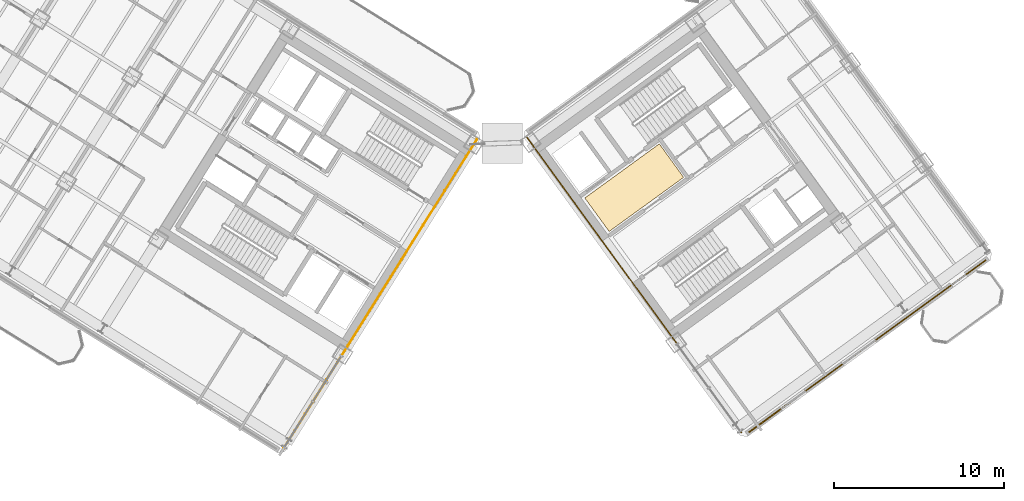
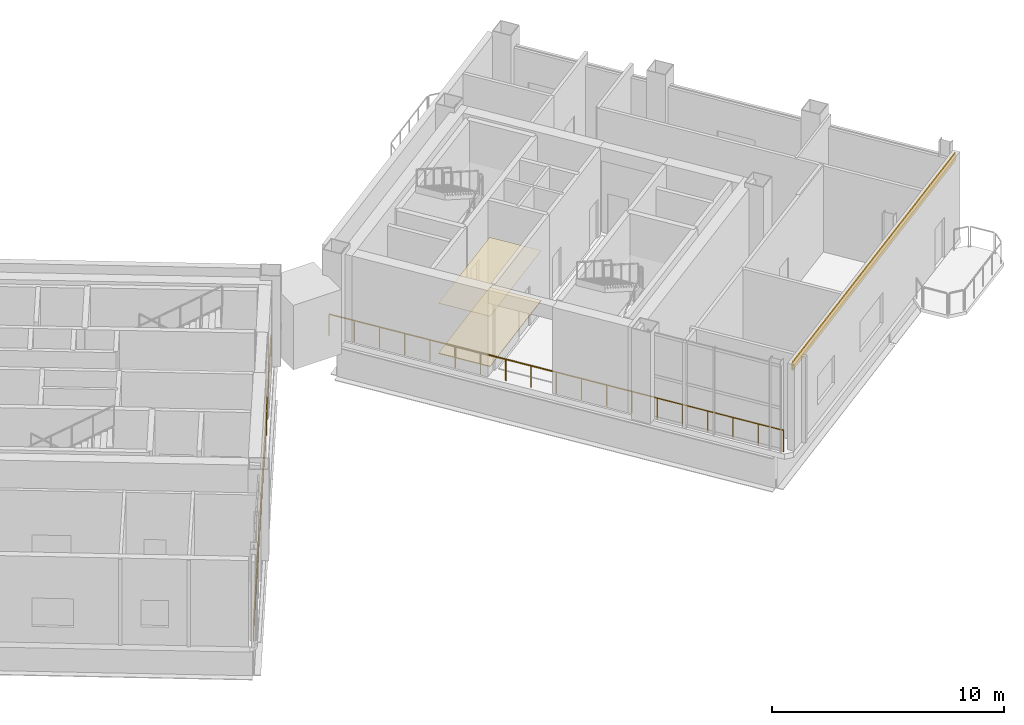
# One storey, part 20 of 22: 3 coverings, 2 railings.
"""IFC4 building model written with IfcOpenShell, lengths in metres."""

from ifc_helpers import new_model, si_unit, direction, frame, origin, origin_2d, place, context, subcontext, project, spatial, polyline, rectangle, outline, extrude, source, transform, mapped, material, layer, layer_set, type_object, element, save


model = new_model("IFC4")

# Units and contexts
model_context = context("Model", 3, precision=1e-05, world=origin(), true_north=direction((0.0, 1.0)))
body_context = subcontext(model_context, "Body", "Model", "MODEL_VIEW")
ifc_project = project(units=[si_unit("LENGTHUNIT", "METRE"), si_unit("AREAUNIT", "SQUARE_METRE"), si_unit("VOLUMEUNIT", "CUBIC_METRE"), si_unit("PLANEANGLEUNIT", "RADIAN"), si_unit("MASSUNIT", "GRAM", prefix="KILO")], contexts=[model_context])

# Site, building, storey
site_placement = place(None, origin())
site = spatial("IfcSite", under=ifc_project, at=site_placement, CompositionType="ELEMENT")
building_placement = place(site_placement, origin())
building = spatial("IfcBuilding", under=site, at=building_placement, Name="Tlacorven Tower", CompositionType="ELEMENT")
storey_placement = place(building_placement, frame((0.0, 0.0, 127.800048828125)))
storey = spatial("IfcBuildingStorey", under=building, at=storey_placement, Name="L32", CompositionType="ELEMENT", Elevation=127.800048828125)

# Coverings
ifc_material_1 = material(Name="Acoustic mineral-fibre ceiling")
ifc_layer_1 = layer(ifc_material_1, 0.02490234375)
ifc_layer_set_1 = layer_set([ifc_layer_1], Name="Acoustic mineral-fibre ceiling")
covering_type_1 = type_object("IfcCoveringType", Name="CV-CLG-ACST", PredefinedType="CEILING", material=ifc_layer_set_1)
covering_1_placement = place(storey_placement, frame((0.0, 0.0, 2.64990234375)))
element("IfcCovering", 1, at=covering_1_placement, inside=storey, type_object=covering_type_1, Name="L32 Acoustic Suspended Ceiling 3", PredefinedType="CEILING", context=body_context, shape_type="SweptSolid", body=[
    extrude(outline(polyline([(48.760498046875, 19.326171875), (47.326171875, 21.300048828125), (51.71923828125, 24.49169921875), (53.1533203125, 22.517822265625), (48.760498046875, 19.326171875)])), origin(), (0.0, 0.0, 1.0), 0.025146484375),
])
ifc_material_2 = material(Name="Terrazzo and ceramic flooring")
ifc_layer_2 = layer(ifc_material_2, 0.0400390625)
ifc_layer_set_2 = layer_set([ifc_layer_2], Name="Terrazzo and ceramic flooring")
covering_type_2 = type_object("IfcCoveringType", Name="CV-FLR-TERZ", PredefinedType="FLOORING", material=ifc_layer_set_2)
covering_2_placement = place(storey_placement, origin())
element("IfcCovering", 2, at=covering_2_placement, inside=storey, type_object=covering_type_2, Name="L32 Terrazzo Floor Finish 3", PredefinedType="FLOORING", context=body_context, shape_type="SweptSolid", body=[
    extrude(outline(polyline([(48.760498046875, 19.326171875), (47.326171875, 21.300048828125), (51.71923828125, 24.49169921875), (53.1533203125, 22.517822265625), (48.760498046875, 19.326171875)])), origin(), (0.0, 0.0, 1.0), 0.0400390625),
])
ifc_material_3 = material(Name="Precast concrete C45/55", Category="concrete")
ifc_layer_3 = layer(ifc_material_3, 0.06005859375)
ifc_layer_set_3 = layer_set([ifc_layer_3], Name="Precast concrete C45/55")
covering_type_3 = type_object("IfcCoveringType", Name="CV-CLD-TERC", PredefinedType="CLADDING", material=ifc_layer_set_3)
shared_shape_1 = source(origin(), body_context, "Body", "SweptSolid", [
    extrude(rectangle(XDim=17.287353515625, YDim=0.06005859375, at=origin_2d()), origin(), (0.0, 0.0, 1.0), 0.419921875),
])
covering_3_placement = place(storey_placement, frame((63.9833984375, 12.562255859375, 4.1298828125), z_axis=(0.0, 0.0, 1.0), x_axis=(-0.809017097486, -0.587785110372, 0.0)))
element("IfcCovering", 3, at=covering_3_placement, inside=storey, type_object=covering_type_3, Name="L32 Masonry-Frame Spandrel Cladding 6", PredefinedType="CLADDING", context=body_context, shape_type="MappedRepresentation", body=[
    mapped(shared_shape_1, transform((0.0, 0.0, 0.0), scale=1.0)),
])

# Railings
ifc_material_4 = material(Name="Aluminium and painted steel balustrade", Category="steel")
railing_type = type_object("IfcRailingType", Name="RL-GRD-1150", PredefinedType="GUARDRAIL", material=ifc_material_4)
shared_shape_2 = source(origin(), body_context, "Body", "SweptSolid", [
    extrude(rectangle(XDim=0.048095703125, YDim=0.048095703125, at=origin_2d()), frame((0.0, 0.0, 1.1259765625), z_axis=(-0.529922340282, -0.84804617402, 0.0), x_axis=(0.84804617402, -0.529922340282, 0.0)), (0.0, 0.0, 1.0), 21.487548828125),
    extrude(rectangle(XDim=0.0419921875, YDim=0.0419921875, at=origin_2d()), origin(), (0.0, 0.0, 1.0), 1.101806640625),
    extrude(rectangle(XDim=0.0419921875, YDim=0.0419921875, at=origin_2d()), frame((-0.632568359375, -1.012451171875, 0.0)), (0.0, 0.0, 1.0), 1.101806640625),
    extrude(rectangle(XDim=0.0419921875, YDim=0.0419921875, at=origin_2d()), frame((-1.26513671875, -2.024658203125, 0.0)), (0.0, 0.0, 1.0), 1.101806640625),
    extrude(rectangle(XDim=0.0419921875, YDim=0.0419921875, at=origin_2d()), frame((-1.897705078125, -3.037109375, 0.0)), (0.0, 0.0, 1.0), 1.101806640625),
    extrude(rectangle(XDim=0.0419921875, YDim=0.0419921875, at=origin_2d()), frame((-2.5302734375, -4.04931640625, 0.0)), (0.0, 0.0, 1.0), 1.101806640625),
    extrude(rectangle(XDim=0.0419921875, YDim=0.0419921875, at=origin_2d()), frame((-3.1630859375, -5.061767578125, 0.0)), (0.0, 0.0, 1.0), 1.101806640625),
    extrude(rectangle(XDim=0.0419921875, YDim=0.0419921875, at=origin_2d()), frame((-3.795654296875, -6.07421875, 0.0)), (0.0, 0.0, 1.0), 1.101806640625),
    extrude(rectangle(XDim=0.0419921875, YDim=0.0419921875, at=origin_2d()), frame((-4.42822265625, -7.08642578125, 0.0)), (0.0, 0.0, 1.0), 1.101806640625),
    extrude(rectangle(XDim=0.0419921875, YDim=0.0419921875, at=origin_2d()), frame((-5.060791015625, -8.098876953125, 0.0)), (0.0, 0.0, 1.0), 1.101806640625),
    extrude(rectangle(XDim=0.0419921875, YDim=0.0419921875, at=origin_2d()), frame((-5.693359375, -9.111328125, 0.0)), (0.0, 0.0, 1.0), 1.101806640625),
    extrude(rectangle(XDim=0.0419921875, YDim=0.0419921875, at=origin_2d()), frame((-6.325927734375, -10.12353515625, 0.0)), (0.0, 0.0, 1.0), 1.101806640625),
    extrude(rectangle(XDim=0.0419921875, YDim=0.0419921875, at=origin_2d()), frame((-6.95849609375, -11.135986328125, 0.0)), (0.0, 0.0, 1.0), 1.101806640625),
    extrude(rectangle(XDim=0.0419921875, YDim=0.0419921875, at=origin_2d()), frame((-7.591064453125, -12.148193359375, 0.0)), (0.0, 0.0, 1.0), 1.101806640625),
    extrude(rectangle(XDim=0.0419921875, YDim=0.0419921875, at=origin_2d()), frame((-8.2236328125, -13.16064453125, 0.0)), (0.0, 0.0, 1.0), 1.101806640625),
    extrude(rectangle(XDim=0.0419921875, YDim=0.0419921875, at=origin_2d()), frame((-8.8564453125, -14.173095703125, 0.0)), (0.0, 0.0, 1.0), 1.101806640625),
    extrude(rectangle(XDim=0.0419921875, YDim=0.0419921875, at=origin_2d()), frame((-9.489013671875, -15.185302734375, 0.0)), (0.0, 0.0, 1.0), 1.101806640625),
    extrude(rectangle(XDim=0.0419921875, YDim=0.0419921875, at=origin_2d()), frame((-10.12158203125, -16.19775390625, 0.0)), (0.0, 0.0, 1.0), 1.101806640625),
    extrude(rectangle(XDim=0.0419921875, YDim=0.0419921875, at=origin_2d()), frame((-10.754150390625, -17.2099609375, 0.0)), (0.0, 0.0, 1.0), 1.101806640625),
    extrude(rectangle(XDim=0.0419921875, YDim=0.0419921875, at=origin_2d()), frame((-11.38671875, -18.222412109375, 0.0)), (0.0, 0.0, 1.0), 1.101806640625),
])
railing_1_placement = place(storey_placement, frame((40.965087890625, 24.760009765625, 0.0)))
element("IfcRailing", 4, at=railing_1_placement, inside=storey, type_object=railing_type, Name="L32 Void-Portal Atrium Guard 1", PredefinedType="GUARDRAIL", context=body_context, shape_type="MappedRepresentation", body=[
    mapped(shared_shape_2, transform((0.0, 0.0, 0.0), scale=1.0)),
])
shared_shape_3 = source(origin(), body_context, "Body", "SweptSolid", [
    extrude(rectangle(XDim=0.048095703125, YDim=0.048095703125, at=origin_2d()), frame((0.0, 0.0, 1.1259765625), z_axis=(-0.587792632144, 0.809011632547, 0.0), x_axis=(-0.809011632547, -0.587792632144, 0.0)), (0.0, 0.0, 1.0), 21.4873046875),
    extrude(rectangle(XDim=0.0419921875, YDim=0.0419921875, at=origin_2d()), origin(), (0.0, 0.0, 1.0), 1.101806640625),
    extrude(rectangle(XDim=0.0419921875, YDim=0.0419921875, at=origin_2d()), frame((-0.70166015625, 0.9658203125, 0.0)), (0.0, 0.0, 1.0), 1.101806640625),
    extrude(rectangle(XDim=0.0419921875, YDim=0.0419921875, at=origin_2d()), frame((-1.4033203125, 1.931396484375, 0.0)), (0.0, 0.0, 1.0), 1.101806640625),
    extrude(rectangle(XDim=0.0419921875, YDim=0.0419921875, at=origin_2d()), frame((-2.10498046875, 2.897216796875, 0.0)), (0.0, 0.0, 1.0), 1.101806640625),
    extrude(rectangle(XDim=0.0419921875, YDim=0.0419921875, at=origin_2d()), frame((-2.806640625, 3.863037109375, 0.0)), (0.0, 0.0, 1.0), 1.101806640625),
    extrude(rectangle(XDim=0.0419921875, YDim=0.0419921875, at=origin_2d()), frame((-3.50830078125, 4.828857421875, 0.0)), (0.0, 0.0, 1.0), 1.101806640625),
    extrude(rectangle(XDim=0.0419921875, YDim=0.0419921875, at=origin_2d()), frame((-4.2099609375, 5.79443359375, 0.0)), (0.0, 0.0, 1.0), 1.101806640625),
    extrude(rectangle(XDim=0.0419921875, YDim=0.0419921875, at=origin_2d()), frame((-4.91162109375, 6.76025390625, 0.0)), (0.0, 0.0, 1.0), 1.101806640625),
    extrude(rectangle(XDim=0.0419921875, YDim=0.0419921875, at=origin_2d()), frame((-5.61328125, 7.72607421875, 0.0)), (0.0, 0.0, 1.0), 1.101806640625),
    extrude(rectangle(XDim=0.0419921875, YDim=0.0419921875, at=origin_2d()), frame((-6.31494140625, 8.69189453125, 0.0)), (0.0, 0.0, 1.0), 1.101806640625),
    extrude(rectangle(XDim=0.0419921875, YDim=0.0419921875, at=origin_2d()), frame((-7.016845703125, 9.657470703125, 0.0)), (0.0, 0.0, 1.0), 1.101806640625),
    extrude(rectangle(XDim=0.0419921875, YDim=0.0419921875, at=origin_2d()), frame((-7.718505859375, 10.623291015625, 0.0)), (0.0, 0.0, 1.0), 1.101806640625),
    extrude(rectangle(XDim=0.0419921875, YDim=0.0419921875, at=origin_2d()), frame((-8.420166015625, 11.589111328125, 0.0)), (0.0, 0.0, 1.0), 1.101806640625),
    extrude(rectangle(XDim=0.0419921875, YDim=0.0419921875, at=origin_2d()), frame((-9.121826171875, 12.5546875, 0.0)), (0.0, 0.0, 1.0), 1.101806640625),
    extrude(rectangle(XDim=0.0419921875, YDim=0.0419921875, at=origin_2d()), frame((-9.823486328125, 13.5205078125, 0.0)), (0.0, 0.0, 1.0), 1.101806640625),
    extrude(rectangle(XDim=0.0419921875, YDim=0.0419921875, at=origin_2d()), frame((-10.525146484375, 14.486328125, 0.0)), (0.0, 0.0, 1.0), 1.101806640625),
    extrude(rectangle(XDim=0.0419921875, YDim=0.0419921875, at=origin_2d()), frame((-11.226806640625, 15.4521484375, 0.0)), (0.0, 0.0, 1.0), 1.101806640625),
    extrude(rectangle(XDim=0.0419921875, YDim=0.0419921875, at=origin_2d()), frame((-11.928466796875, 16.417724609375, 0.0)), (0.0, 0.0, 1.0), 1.101806640625),
    extrude(rectangle(XDim=0.0419921875, YDim=0.0419921875, at=origin_2d()), frame((-12.630126953125, 17.383544921875, 0.0)), (0.0, 0.0, 1.0), 1.101806640625),
])
railing_2_placement = place(storey_placement, frame((56.5517578125, 7.4794921875, 0.0)))
element("IfcRailing", 5, at=railing_2_placement, inside=storey, type_object=railing_type, Name="L32 Void-Portal Atrium Guard 1", PredefinedType="GUARDRAIL", context=body_context, shape_type="MappedRepresentation", body=[
    mapped(shared_shape_3, transform((0.0, 0.0, 0.0), scale=1.0)),
])

save(model, "model.ifc")
